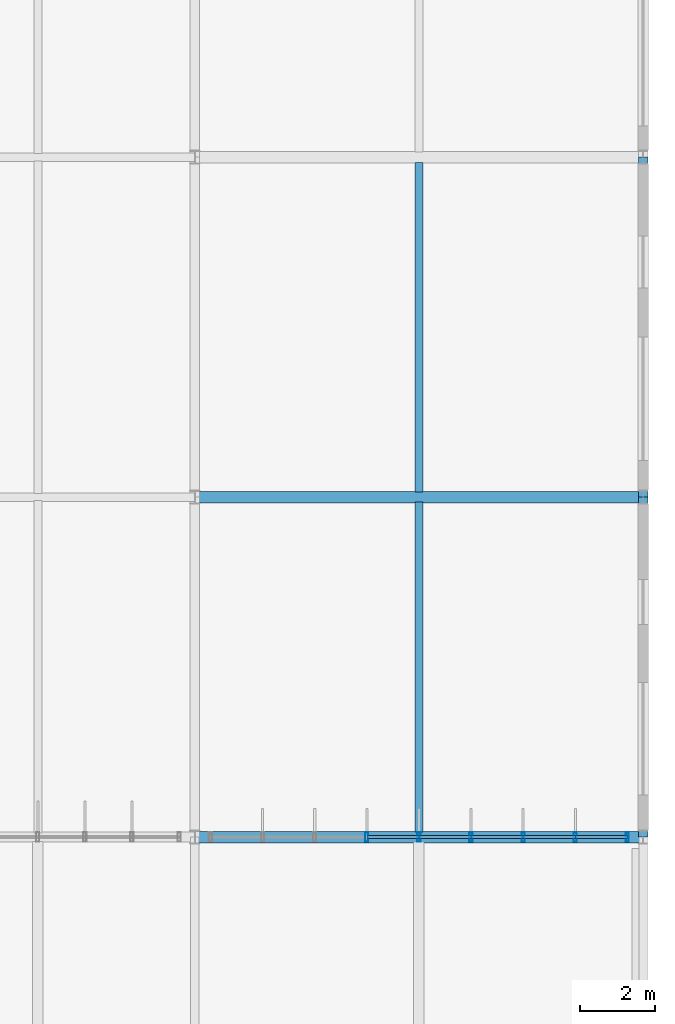
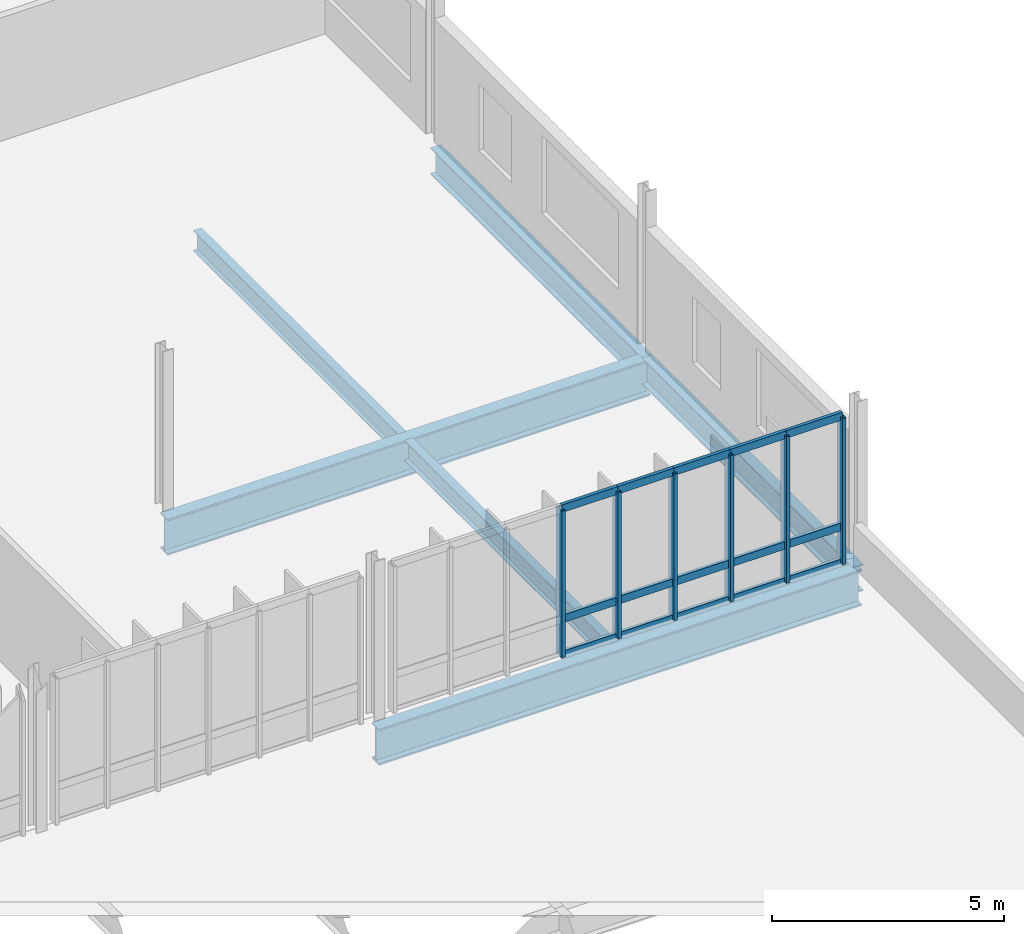
# One storey, part 65 of 107: 21 members, 6 beams, 1 element without a shape of its own.
"""IFC4 building model written with IfcOpenShell, lengths in metres."""

from ifc_helpers import new_model, si_unit, derived_unit, direction, frame, origin, origin_2d, place, context, subcontext, project, spatial, hollow_rectangle, i_section, extrude, material, layer, layer_set, material_profile, profile_set, type_object, element, aggregate, save


model = new_model("IFC4")

# Units and contexts
model_context = context("Model", 3, precision=1e-05, world=origin(), true_north=direction((0.0, 1.0)))
body_context = subcontext(model_context, "Body", "Model", "MODEL_VIEW")
ifc_project = project(units=[si_unit("LENGTHUNIT", "METRE"), si_unit("AREAUNIT", "SQUARE_METRE"), si_unit("VOLUMEUNIT", "CUBIC_METRE"), si_unit("PLANEANGLEUNIT", "RADIAN"), si_unit("MASSUNIT", "GRAM", prefix="KILO"), derived_unit("THERMALTRANSMITTANCEUNIT", [(si_unit("MASSUNIT", "GRAM", prefix="KILO"), 1), (si_unit("TIMEUNIT", "SECOND"), -3), (si_unit("THERMODYNAMICTEMPERATUREUNIT", "KELVIN"), -1)])], contexts=[model_context])

# Site, building, storey
site_placement = place(None, origin())
site = spatial("IfcSite", under=ifc_project, at=site_placement, CompositionType="ELEMENT")
building_placement = place(site_placement, origin())
building = spatial("IfcBuilding", under=site, at=building_placement, Name="Makaiwela Harbour Ferry Terminal", CompositionType="ELEMENT")
storey_placement = place(building_placement, frame((0.0, 0.0, 9.60009765625)))
storey = spatial("IfcBuildingStorey", under=building, at=storey_placement, Name="L02", CompositionType="ELEMENT", Elevation=9.60009765625)

# Curtain wall, members
ifc_material_1 = material(Name="Marine anodised aluminium 6063-T6", Category="aluminium")
ifc_layer = layer(ifc_material_1, 0.199951171875)
ifc_layer_set = layer_set([ifc_layer], Name="Marine anodised aluminium 6063-T6")
curtain_wall_type = type_object("IfcCurtainWallType", Name="ENV-CW-18", PredefinedType="USERDEFINED", material=ifc_layer_set)
curtain_wall_placement = place(storey_placement, origin())
curtain_wall = element("IfcCurtainWall", 1, at=curtain_wall_placement, inside=storey, type_object=curtain_wall_type, Name="Unitised Curtain Wall CWA-156", ObjectType="UNITIZED CURTAIN WALL", PredefinedType="USERDEFINED")
ifc_material_profile_1 = material_profile(ifc_material_1, hollow_rectangle(XDim=0.0849609375, YDim=0.25, WallThickness=0.0048828125, at=origin_2d()), Name="CWM-250X85")
ifc_profile_set_1 = profile_set([ifc_material_profile_1], Name="Marine anodised aluminium 6063-T6")
member_type_1 = type_object("IfcMemberType", Name="CW-MUL-250", PredefinedType="MULLION", material=ifc_profile_set_1)
member_1_placement = place(storey_placement, frame((166.97998046875, 49.39990234375, 0.0), z_axis=(0.0, 0.0, 1.0), x_axis=(1.0, 0.0, 0.0)))
member_1 = element("IfcMember", 2, at=member_1_placement, type_object=member_type_1, Name="Curtain Wall Mullion CWA-156-1", PredefinedType="MULLION", context=body_context, shape_type="SweptSolid", body=[
    extrude(hollow_rectangle(XDim=0.0849609375, YDim=0.25, WallThickness=0.0048828125, at=origin_2d()), origin(), (0.0, 0.0, 1.0), 3.849853515625),
])
member_2_placement = place(storey_placement, frame((165.5849609375, 49.39990234375, 0.0), z_axis=(0.0, 0.0, 1.0), x_axis=(1.0, 0.0, 0.0)))
member_2 = element("IfcMember", 3, at=member_2_placement, type_object=member_type_1, Name="Curtain Wall Mullion CWA-156-2", PredefinedType="MULLION", context=body_context, shape_type="SweptSolid", body=[
    extrude(hollow_rectangle(XDim=0.0849609375, YDim=0.25, WallThickness=0.0048828125, at=origin_2d()), origin(), (0.0, 0.0, 1.0), 3.849853515625),
])
member_3_placement = place(storey_placement, frame((164.18994140625, 49.39990234375, 0.0), z_axis=(0.0, 0.0, 1.0), x_axis=(1.0, 0.0, 0.0)))
member_3 = element("IfcMember", 4, at=member_3_placement, type_object=member_type_1, Name="Curtain Wall Mullion CWA-156-3", PredefinedType="MULLION", context=body_context, shape_type="SweptSolid", body=[
    extrude(hollow_rectangle(XDim=0.0849609375, YDim=0.25, WallThickness=0.0048828125, at=origin_2d()), origin(), (0.0, 0.0, 1.0), 3.849853515625),
])
member_4_placement = place(storey_placement, frame((162.794921875, 49.39990234375, 0.0), z_axis=(0.0, 0.0, 1.0), x_axis=(1.0, 0.0, 0.0)))
member_4 = element("IfcMember", 5, at=member_4_placement, type_object=member_type_1, Name="Curtain Wall Mullion CWA-156-4", PredefinedType="MULLION", context=body_context, shape_type="SweptSolid", body=[
    extrude(hollow_rectangle(XDim=0.0849609375, YDim=0.25, WallThickness=0.0048828125, at=origin_2d()), origin(), (0.0, 0.0, 1.0), 3.849853515625),
])
member_5_placement = place(storey_placement, frame((161.39990234375, 49.39990234375, 0.0), z_axis=(0.0, 0.0, 1.0), x_axis=(1.0, 0.0, 0.0)))
member_5 = element("IfcMember", 6, at=member_5_placement, type_object=member_type_1, Name="Curtain Wall Mullion CWA-156-5", PredefinedType="MULLION", context=body_context, shape_type="SweptSolid", body=[
    extrude(hollow_rectangle(XDim=0.0849609375, YDim=0.25, WallThickness=0.0048828125, at=origin_2d()), origin(), (0.0, 0.0, 1.0), 3.849853515625),
])
member_6_placement = place(storey_placement, frame((160.0048828125, 49.39990234375, 0.0), z_axis=(0.0, 0.0, 1.0), x_axis=(1.0, 0.0, 0.0)))
member_6 = element("IfcMember", 7, at=member_6_placement, type_object=member_type_1, Name="Curtain Wall Mullion CWA-156-6", PredefinedType="MULLION", context=body_context, shape_type="SweptSolid", body=[
    extrude(hollow_rectangle(XDim=0.0849609375, YDim=0.25, WallThickness=0.0048828125, at=origin_2d()), origin(), (0.0, 0.0, 1.0), 3.849853515625),
])
ifc_material_profile_2 = material_profile(ifc_material_1, hollow_rectangle(XDim=0.0849609375, YDim=0.199951171875, WallThickness=0.0048828125, at=origin_2d()), Name="CWT-200X85")
ifc_profile_set_2 = profile_set([ifc_material_profile_2], Name="Marine anodised aluminium 6063-T6")
member_type_2 = type_object("IfcMemberType", Name="CW-TRN-200", PredefinedType="USERDEFINED", material=ifc_profile_set_2)
member_7_placement = place(storey_placement, frame((166.97998046875, 49.39990234375, 0.0), z_axis=(-1.0, 0.0, 0.0), x_axis=(0.0, -1.0, 0.0)))
member_7 = element("IfcMember", 8, at=member_7_placement, type_object=member_type_2, Name="Curtain Wall Transom CWA-156-1-1", ObjectType="TRANSOM", PredefinedType="USERDEFINED", context=body_context, shape_type="SweptSolid", body=[
    extrude(hollow_rectangle(XDim=0.0849609375, YDim=0.199951171875, WallThickness=0.0048828125, at=origin_2d()), origin(), (0.0, 0.0, 1.0), 1.39501953125),
])
member_8_placement = place(storey_placement, frame((166.97998046875, 49.39990234375, 0.949951171875), z_axis=(-1.0, 0.0, 0.0), x_axis=(0.0, -1.0, 0.0)))
member_8 = element("IfcMember", 9, at=member_8_placement, type_object=member_type_2, Name="Curtain Wall Transom CWA-156-1-2", ObjectType="TRANSOM", PredefinedType="USERDEFINED", context=body_context, shape_type="SweptSolid", body=[
    extrude(hollow_rectangle(XDim=0.0849609375, YDim=0.199951171875, WallThickness=0.0048828125, at=origin_2d()), origin(), (0.0, 0.0, 1.0), 1.39501953125),
])
member_9_placement = place(storey_placement, frame((166.97998046875, 49.39990234375, 3.849853515625), z_axis=(-1.0, 0.0, 0.0), x_axis=(0.0, -1.0, 0.0)))
member_9 = element("IfcMember", 10, at=member_9_placement, type_object=member_type_2, Name="Curtain Wall Transom CWA-156-1-3", ObjectType="TRANSOM", PredefinedType="USERDEFINED", context=body_context, shape_type="SweptSolid", body=[
    extrude(hollow_rectangle(XDim=0.0849609375, YDim=0.199951171875, WallThickness=0.0048828125, at=origin_2d()), origin(), (0.0, 0.0, 1.0), 1.39501953125),
])
member_10_placement = place(storey_placement, frame((165.5849609375, 49.39990234375, 0.0), z_axis=(-1.0, 0.0, 0.0), x_axis=(0.0, -1.0, 0.0)))
member_10 = element("IfcMember", 11, at=member_10_placement, type_object=member_type_2, Name="Curtain Wall Transom CWA-156-2-1", ObjectType="TRANSOM", PredefinedType="USERDEFINED", context=body_context, shape_type="SweptSolid", body=[
    extrude(hollow_rectangle(XDim=0.0849609375, YDim=0.199951171875, WallThickness=0.0048828125, at=origin_2d()), origin(), (0.0, 0.0, 1.0), 1.39501953125),
])
member_11_placement = place(storey_placement, frame((165.5849609375, 49.39990234375, 0.949951171875), z_axis=(-1.0, 0.0, 0.0), x_axis=(0.0, -1.0, 0.0)))
member_11 = element("IfcMember", 12, at=member_11_placement, type_object=member_type_2, Name="Curtain Wall Transom CWA-156-2-2", ObjectType="TRANSOM", PredefinedType="USERDEFINED", context=body_context, shape_type="SweptSolid", body=[
    extrude(hollow_rectangle(XDim=0.0849609375, YDim=0.199951171875, WallThickness=0.0048828125, at=origin_2d()), origin(), (0.0, 0.0, 1.0), 1.39501953125),
])
member_12_placement = place(storey_placement, frame((165.5849609375, 49.39990234375, 3.849853515625), z_axis=(-1.0, 0.0, 0.0), x_axis=(0.0, -1.0, 0.0)))
member_12 = element("IfcMember", 13, at=member_12_placement, type_object=member_type_2, Name="Curtain Wall Transom CWA-156-2-3", ObjectType="TRANSOM", PredefinedType="USERDEFINED", context=body_context, shape_type="SweptSolid", body=[
    extrude(hollow_rectangle(XDim=0.0849609375, YDim=0.199951171875, WallThickness=0.0048828125, at=origin_2d()), origin(), (0.0, 0.0, 1.0), 1.39501953125),
])
member_13_placement = place(storey_placement, frame((164.18994140625, 49.39990234375, 0.0), z_axis=(-1.0, 0.0, 0.0), x_axis=(0.0, -1.0, 0.0)))
member_13 = element("IfcMember", 14, at=member_13_placement, type_object=member_type_2, Name="Curtain Wall Transom CWA-156-3-1", ObjectType="TRANSOM", PredefinedType="USERDEFINED", context=body_context, shape_type="SweptSolid", body=[
    extrude(hollow_rectangle(XDim=0.0849609375, YDim=0.199951171875, WallThickness=0.0048828125, at=origin_2d()), origin(), (0.0, 0.0, 1.0), 1.39501953125),
])
member_14_placement = place(storey_placement, frame((164.18994140625, 49.39990234375, 0.949951171875), z_axis=(-1.0, 0.0, 0.0), x_axis=(0.0, -1.0, 0.0)))
member_14 = element("IfcMember", 15, at=member_14_placement, type_object=member_type_2, Name="Curtain Wall Transom CWA-156-3-2", ObjectType="TRANSOM", PredefinedType="USERDEFINED", context=body_context, shape_type="SweptSolid", body=[
    extrude(hollow_rectangle(XDim=0.0849609375, YDim=0.199951171875, WallThickness=0.0048828125, at=origin_2d()), origin(), (0.0, 0.0, 1.0), 1.39501953125),
])
member_15_placement = place(storey_placement, frame((164.18994140625, 49.39990234375, 3.849853515625), z_axis=(-1.0, 0.0, 0.0), x_axis=(0.0, -1.0, 0.0)))
member_15 = element("IfcMember", 16, at=member_15_placement, type_object=member_type_2, Name="Curtain Wall Transom CWA-156-3-3", ObjectType="TRANSOM", PredefinedType="USERDEFINED", context=body_context, shape_type="SweptSolid", body=[
    extrude(hollow_rectangle(XDim=0.0849609375, YDim=0.199951171875, WallThickness=0.0048828125, at=origin_2d()), origin(), (0.0, 0.0, 1.0), 1.39501953125),
])
member_16_placement = place(storey_placement, frame((162.794921875, 49.39990234375, 0.0), z_axis=(-1.0, 0.0, 0.0), x_axis=(0.0, -1.0, 0.0)))
member_16 = element("IfcMember", 17, at=member_16_placement, type_object=member_type_2, Name="Curtain Wall Transom CWA-156-4-1", ObjectType="TRANSOM", PredefinedType="USERDEFINED", context=body_context, shape_type="SweptSolid", body=[
    extrude(hollow_rectangle(XDim=0.0849609375, YDim=0.199951171875, WallThickness=0.0048828125, at=origin_2d()), origin(), (0.0, 0.0, 1.0), 1.39501953125),
])
member_17_placement = place(storey_placement, frame((162.794921875, 49.39990234375, 0.949951171875), z_axis=(-1.0, 0.0, 0.0), x_axis=(0.0, -1.0, 0.0)))
member_17 = element("IfcMember", 18, at=member_17_placement, type_object=member_type_2, Name="Curtain Wall Transom CWA-156-4-2", ObjectType="TRANSOM", PredefinedType="USERDEFINED", context=body_context, shape_type="SweptSolid", body=[
    extrude(hollow_rectangle(XDim=0.0849609375, YDim=0.199951171875, WallThickness=0.0048828125, at=origin_2d()), origin(), (0.0, 0.0, 1.0), 1.39501953125),
])
member_18_placement = place(storey_placement, frame((162.794921875, 49.39990234375, 3.849853515625), z_axis=(-1.0, 0.0, 0.0), x_axis=(0.0, -1.0, 0.0)))
member_18 = element("IfcMember", 19, at=member_18_placement, type_object=member_type_2, Name="Curtain Wall Transom CWA-156-4-3", ObjectType="TRANSOM", PredefinedType="USERDEFINED", context=body_context, shape_type="SweptSolid", body=[
    extrude(hollow_rectangle(XDim=0.0849609375, YDim=0.199951171875, WallThickness=0.0048828125, at=origin_2d()), origin(), (0.0, 0.0, 1.0), 1.39501953125),
])
member_19_placement = place(storey_placement, frame((161.39990234375, 49.39990234375, 0.0), z_axis=(-1.0, 0.0, 0.0), x_axis=(0.0, -1.0, 0.0)))
member_19 = element("IfcMember", 20, at=member_19_placement, type_object=member_type_2, Name="Curtain Wall Transom CWA-156-5-1", ObjectType="TRANSOM", PredefinedType="USERDEFINED", context=body_context, shape_type="SweptSolid", body=[
    extrude(hollow_rectangle(XDim=0.0849609375, YDim=0.199951171875, WallThickness=0.0048828125, at=origin_2d()), origin(), (0.0, 0.0, 1.0), 1.39501953125),
])
member_20_placement = place(storey_placement, frame((161.39990234375, 49.39990234375, 0.949951171875), z_axis=(-1.0, 0.0, 0.0), x_axis=(0.0, -1.0, 0.0)))
member_20 = element("IfcMember", 21, at=member_20_placement, type_object=member_type_2, Name="Curtain Wall Transom CWA-156-5-2", ObjectType="TRANSOM", PredefinedType="USERDEFINED", context=body_context, shape_type="SweptSolid", body=[
    extrude(hollow_rectangle(XDim=0.0849609375, YDim=0.199951171875, WallThickness=0.0048828125, at=origin_2d()), origin(), (0.0, 0.0, 1.0), 1.39501953125),
])
member_21_placement = place(storey_placement, frame((161.39990234375, 49.39990234375, 3.849853515625), z_axis=(-1.0, 0.0, 0.0), x_axis=(0.0, -1.0, 0.0)))
member_21 = element("IfcMember", 22, at=member_21_placement, type_object=member_type_2, Name="Curtain Wall Transom CWA-156-5-3", ObjectType="TRANSOM", PredefinedType="USERDEFINED", context=body_context, shape_type="SweptSolid", body=[
    extrude(hollow_rectangle(XDim=0.0849609375, YDim=0.199951171875, WallThickness=0.0048828125, at=origin_2d()), origin(), (0.0, 0.0, 1.0), 1.39501953125),
])
aggregate(curtain_wall, [member_1, member_2, member_3, member_4, member_5, member_6, member_7, member_8, member_9, member_10, member_11, member_12, member_13, member_14, member_15, member_16, member_17, member_18, member_19, member_20, member_21])

# Beams
ifc_material_2 = material(Name="Steel ASTM A992 Grade 50", Category="steel")
ifc_material_profile_3 = material_profile(ifc_material_2, i_section(OverallWidth=0.2099609375, OverallDepth=0.537109375, WebThickness=0.010986328125, FlangeThickness=0.017333984375, at=origin_2d()), Name="W21X68")
ifc_profile_set_3 = profile_set([ifc_material_profile_3], Name="Steel ASTM A992 Grade 50")
beam_type_1 = type_object("IfcBeamType", Name="STR-BM-W21X68", PredefinedType="BEAM", material=ifc_profile_set_3)
for number, where, z_axis, x_axis, name in (
    (23, (161.39990234375, 49.537109375, -0.528564453125), (0.0, 1.0, 0.0), (-1.0, 0.0, 0.0), "Secondary floor beam 1544"),
    (24, (161.39990234375, 58.636962890625, -0.528564453125), (0.0, 1.0, 0.0), (-1.0, 0.0, 0.0), "Secondary floor beam 1545"),
):
    element("IfcBeam", number, at=place(storey_placement, frame(where, z_axis=z_axis, x_axis=x_axis)), inside=storey, type_object=beam_type_1, Name=name, PredefinedType="BEAM", context=body_context, shape_type="SweptSolid", body=[
        extrude(i_section(OverallWidth=0.2099609375, OverallDepth=0.537109375, WebThickness=0.010986328125, FlangeThickness=0.017333984375, at=origin_2d()), origin(), (0.0, 0.0, 1.0), 8.825927734375),
    ])
ifc_material_profile_4 = material_profile(ifc_material_2, i_section(OverallWidth=0.256103515625, OverallDepth=0.693115234375, WebThickness=0.014404296875, FlangeThickness=0.023681640625, at=origin_2d()), Name="W27X114")
ifc_profile_set_4 = profile_set([ifc_material_profile_4], Name="Steel ASTM A992 Grade 50")
beam_type_2 = type_object("IfcBeamType", Name="STR-GRD-W27X114", PredefinedType="USERDEFINED", material=ifc_profile_set_4)
for number, where, z_axis, x_axis, name in (
    (25, (167.39990234375, 49.39990234375, -0.606689453125), (0.0, 1.0, 0.0), (-1.0, 0.0, 0.0), "Primary Y girder 1452"),
    (26, (167.39990234375, 58.5, -0.606689453125), (0.0, 1.0, 0.0), (-1.0, 0.0, 0.0), "Primary Y girder 1453"),
):
    element("IfcBeam", number, at=place(storey_placement, frame(where, z_axis=z_axis, x_axis=x_axis)), inside=storey, type_object=beam_type_2, Name=name, ObjectType="GIRDER", PredefinedType="USERDEFINED", context=body_context, shape_type="SweptSolid", body=[
        extrude(i_section(OverallWidth=0.256103515625, OverallDepth=0.693115234375, WebThickness=0.014404296875, FlangeThickness=0.023681640625, at=origin_2d()), origin(), (0.0, 0.0, 1.0), 9.10009765625),
    ])
ifc_material_profile_5 = material_profile(ifc_material_2, i_section(OverallWidth=0.31005859375, OverallDepth=0.949951171875, WebThickness=0.0244140625, FlangeThickness=0.0439453125, at=origin_2d()), Name="W36X256")
ifc_profile_set_5 = profile_set([ifc_material_profile_5], Name="Steel ASTM A992 Grade 50")
beam_type_3 = type_object("IfcBeamType", Name="STR-GRD-W36X256", PredefinedType="USERDEFINED", material=ifc_profile_set_5)
for number, where, z_axis, x_axis, name in (
    (27, (155.39990234375, 49.39990234375, -0.735107421875), (1.0, 0.0, 0.0), (0.0, 1.0, 0.0), "Primary X girder 1291"),
    (28, (155.39990234375, 58.5, -0.735107421875), (1.0, 0.0, 0.0), (0.0, 1.0, 0.0), "Primary X girder 1309"),
):
    element("IfcBeam", number, at=place(storey_placement, frame(where, z_axis=z_axis, x_axis=x_axis)), inside=storey, type_object=beam_type_3, Name=name, ObjectType="GIRDER", PredefinedType="USERDEFINED", context=body_context, shape_type="SweptSolid", body=[
        extrude(i_section(OverallWidth=0.31005859375, OverallDepth=0.949951171875, WebThickness=0.0244140625, FlangeThickness=0.0439453125, at=origin_2d()), origin(), (0.0, 0.0, 1.0), 12.0),
    ])

save(model, "model.ifc")
